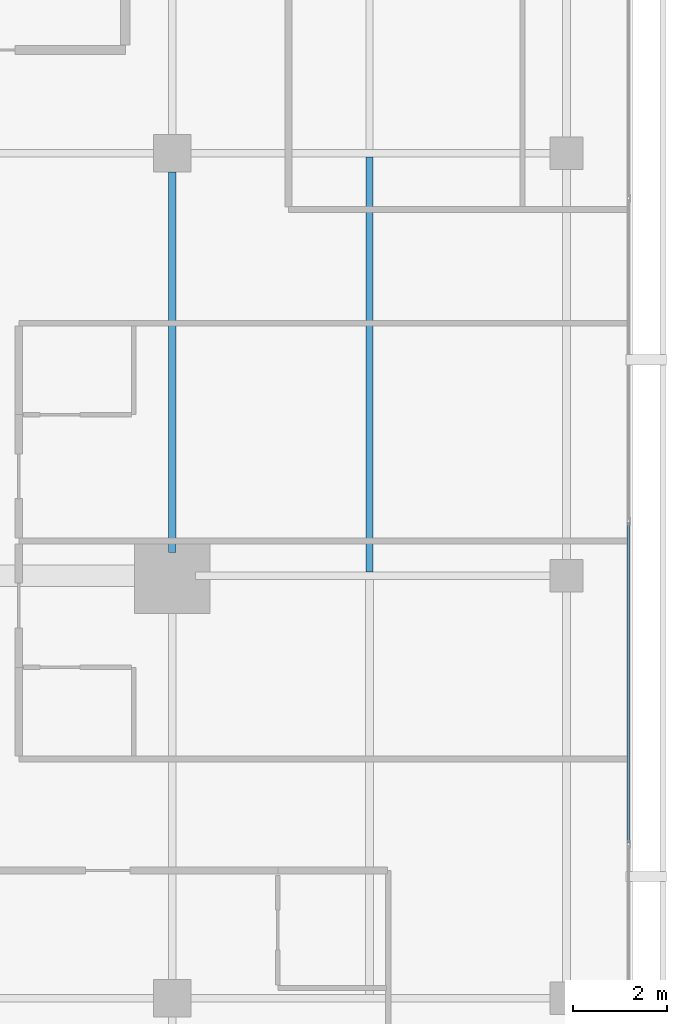
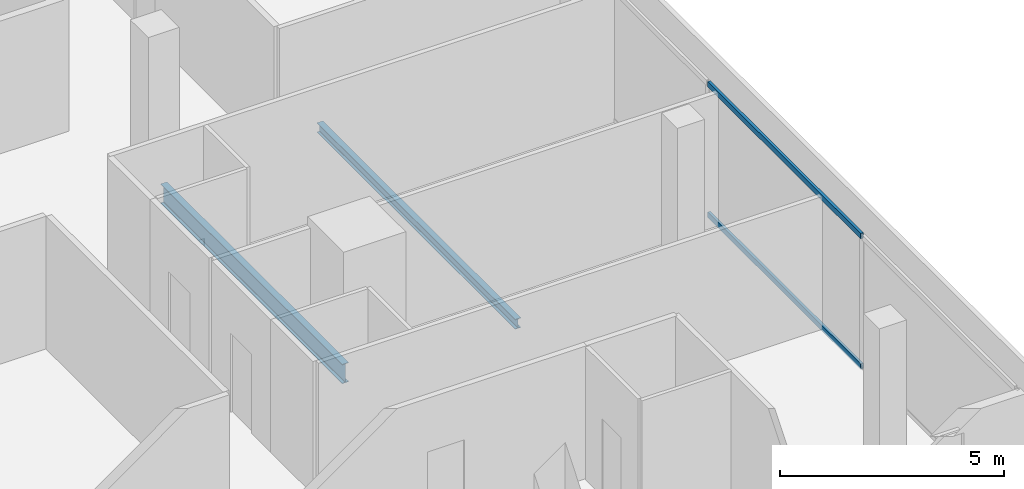
# One storey, part 13 of 25: 2 beams, 2 members, 1 element without a shape of its own.
"""IFC4 building model written with IfcOpenShell, lengths in metres."""

from ifc_helpers import new_model, si_unit, direction, frame, origin, origin_2d, place, context, subcontext, project, spatial, hollow_rectangle, i_section, extrude, material, layer, layer_set, material_profile, profile_set, type_object, element, aggregate, save


model = new_model("IFC4")

# Units and contexts
model_context = context("Model", 3, precision=1e-05, world=origin(), true_north=direction((0.0, 1.0)))
body_context = subcontext(model_context, "Body", "Model", "MODEL_VIEW")
ifc_project = project(units=[si_unit("LENGTHUNIT", "METRE"), si_unit("AREAUNIT", "SQUARE_METRE"), si_unit("VOLUMEUNIT", "CUBIC_METRE"), si_unit("PLANEANGLEUNIT", "RADIAN"), si_unit("MASSUNIT", "GRAM", prefix="KILO")], contexts=[model_context])

# Site, building, storey
site_placement = place(None, origin())
site = spatial("IfcSite", under=ifc_project, at=site_placement, CompositionType="ELEMENT")
building_placement = place(site_placement, origin())
building = spatial("IfcBuilding", under=site, at=building_placement, Name="Maruvema Waterfront Hotel and Observation Tower", CompositionType="ELEMENT")
storey_placement = place(building_placement, frame((0.0, 0.0, 277.89990234375)))
storey = spatial("IfcBuildingStorey", under=building, at=storey_placement, Name="L68", CompositionType="ELEMENT", Elevation=277.89990234375)

# Curtain wall, members
ifc_material_1 = material(Name="Anodised bronze aluminium and solar-control low-E IGU", Category="aluminium")
ifc_layer = layer(ifc_material_1, 0.159912109375, Name="Zone 3 Champagne Inner Thermal Curtain Wall System CW-04")
ifc_layer_set = layer_set([ifc_layer], Name="Anodised bronze aluminium and solar-control low-E IGU")
curtain_wall_type = type_object("IfcCurtainWallType", Name="Zone 3 Champagne Inner Thermal Curtain Wall System CW-04", PredefinedType="USERDEFINED", material=ifc_layer_set)
curtain_wall_placement = place(storey_placement, origin())
curtain_wall = element("IfcCurtainWall", 1, at=curtain_wall_placement, inside=storey, type_object=curtain_wall_type, Name="L68 Curtain Wall CW-L68-E", ObjectType="UNITISED CURTAIN WALL", PredefinedType="USERDEFINED")
ifc_material_2 = material(Name="Anodised architectural bronze aluminium", Category="aluminium")
ifc_material_profile_1 = material_profile(ifc_material_2, hollow_rectangle(XDim=0.070068359375, YDim=0.14990234375, WallThickness=0.00390625, at=origin_2d()), Name="ALU-T70x150")
ifc_profile_set_1 = profile_set([ifc_material_profile_1], Name="Anodised architectural bronze aluminium")
member_type = type_object("IfcMemberType", Name="Curtain Wall Horizontal Transom ALU-T70x150", PredefinedType="USERDEFINED", material=ifc_profile_set_1)
member_1_placement = place(storey_placement, frame((60.1201171875, 21.31005859375, 0.030029296875), z_axis=(0.0, 1.0, 0.0), x_axis=(-1.0, 0.0, 0.0)))
member_1 = element("IfcMember", 2, at=member_1_placement, type_object=member_type, Name="CW-04 transom 2.1", ObjectType="TRANSOM", PredefinedType="USERDEFINED", context=body_context, shape_type="SweptSolid", body=[
    extrude(hollow_rectangle(XDim=0.070068359375, YDim=0.14990234375, WallThickness=0.00390625, at=origin_2d()), origin(), (0.0, 0.0, 1.0), 6.81982421875),
])
member_2_placement = place(storey_placement, frame((60.1201171875, 21.31005859375, 3.580078125), z_axis=(0.0, 1.0, 0.0), x_axis=(-1.0, 0.0, 0.0)))
member_2 = element("IfcMember", 3, at=member_2_placement, type_object=member_type, Name="CW-04 transom 2.2", ObjectType="TRANSOM", PredefinedType="USERDEFINED", context=body_context, shape_type="SweptSolid", body=[
    extrude(hollow_rectangle(XDim=0.070068359375, YDim=0.14990234375, WallThickness=0.00390625, at=origin_2d()), origin(), (0.0, 0.0, 1.0), 6.81982421875),
])
aggregate(curtain_wall, [member_1, member_2])

# Beams
ifc_material_3 = material(Name="Steel ASTM A572 Grade 50", Category="steel")
ifc_material_profile_2 = material_profile(ifc_material_3, i_section(OverallWidth=0.166015625, OverallDepth=0.529052734375, WebThickness=0.009765625, FlangeThickness=0.013671875, FilletRadius=0.014892578125, at=origin_2d()), Name="W530x74.0")
ifc_profile_set_2 = profile_set([ifc_material_profile_2], Name="Steel ASTM A572 Grade 50")
beam_type_1 = type_object("IfcBeamType", Name="Primary Floor Girder W530x74.0", PredefinedType="BEAM", material=ifc_profile_set_2)
beam_1_placement = place(storey_placement, frame((50.39990234375, 27.5, -0.50439453125), z_axis=(0.0, 1.0, 0.0), x_axis=(-1.0, 0.0, 0.0)))
element("IfcBeam", 4, at=beam_1_placement, inside=storey, type_object=beam_type_1, Name="L68 Floor Girder NS-14", PredefinedType="BEAM", context=body_context, shape_type="SweptSolid", body=[
    extrude(i_section(OverallWidth=0.166015625, OverallDepth=0.529052734375, WebThickness=0.009765625, FlangeThickness=0.013671875, FilletRadius=0.014892578125, at=origin_2d()), origin(), (0.0, 0.0, 1.0), 8.10009765625),
])
ifc_material_4 = material(Name="Steel ASTM A572 Grade 50", Category="steel")
ifc_material_profile_3 = material_profile(ifc_material_4, i_section(OverallWidth=0.14794921875, OverallDepth=0.26611328125, WebThickness=0.007568359375, FlangeThickness=0.012939453125, FilletRadius=0.012939453125, at=origin_2d()), Name="W250x44.8")
ifc_profile_set_3 = profile_set([ifc_material_profile_3], Name="Steel ASTM A572 Grade 50")
beam_type_2 = type_object("IfcBeamType", Name="Secondary Floor Joist W250x44.8", PredefinedType="JOIST", material=ifc_profile_set_3)
beam_2_placement = place(storey_placement, frame((54.60009765625, 27.0830078125, -0.372802734375), z_axis=(0.0, 1.0, 0.0), x_axis=(-1.0, 0.0, 0.0)))
element("IfcBeam", 5, at=beam_2_placement, inside=storey, type_object=beam_type_2, Name="L68 Secondary Floor Joist JS-08", PredefinedType="JOIST", context=body_context, shape_type="SweptSolid", body=[
    extrude(i_section(OverallWidth=0.14794921875, OverallDepth=0.26611328125, WebThickness=0.007568359375, FlangeThickness=0.012939453125, FilletRadius=0.012939453125, at=origin_2d()), origin(), (0.0, 0.0, 1.0), 8.833984375),
])

save(model, "model.ifc")
